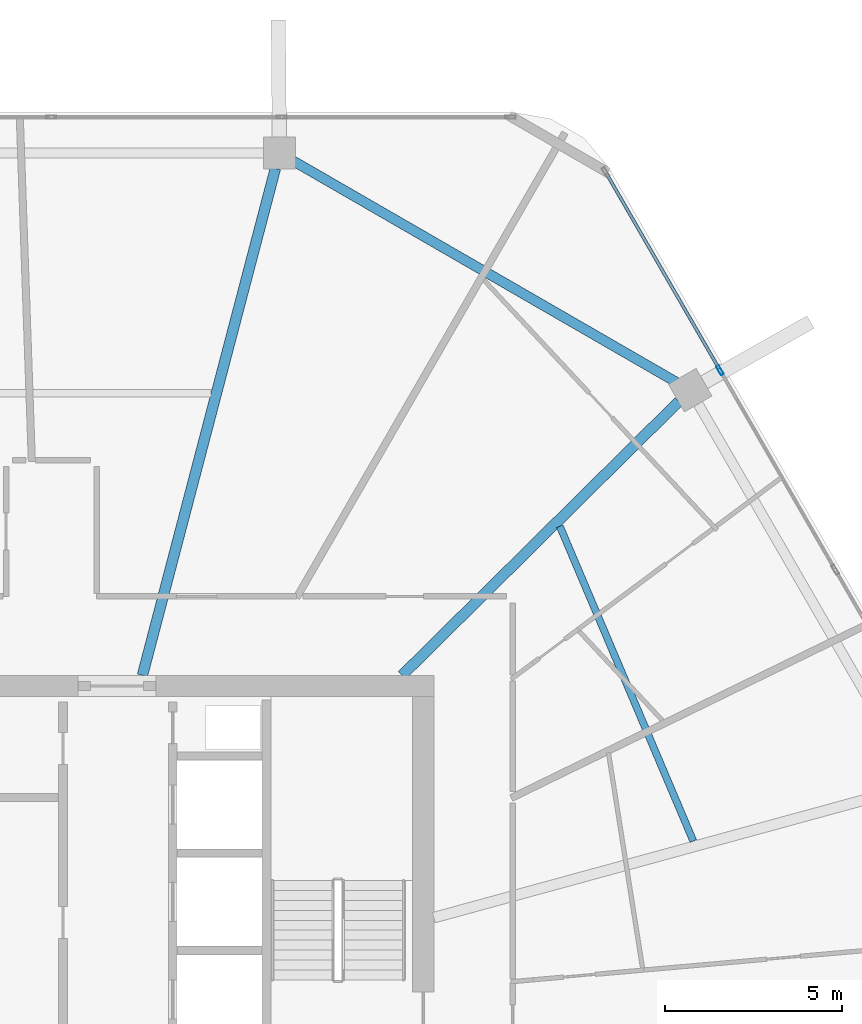
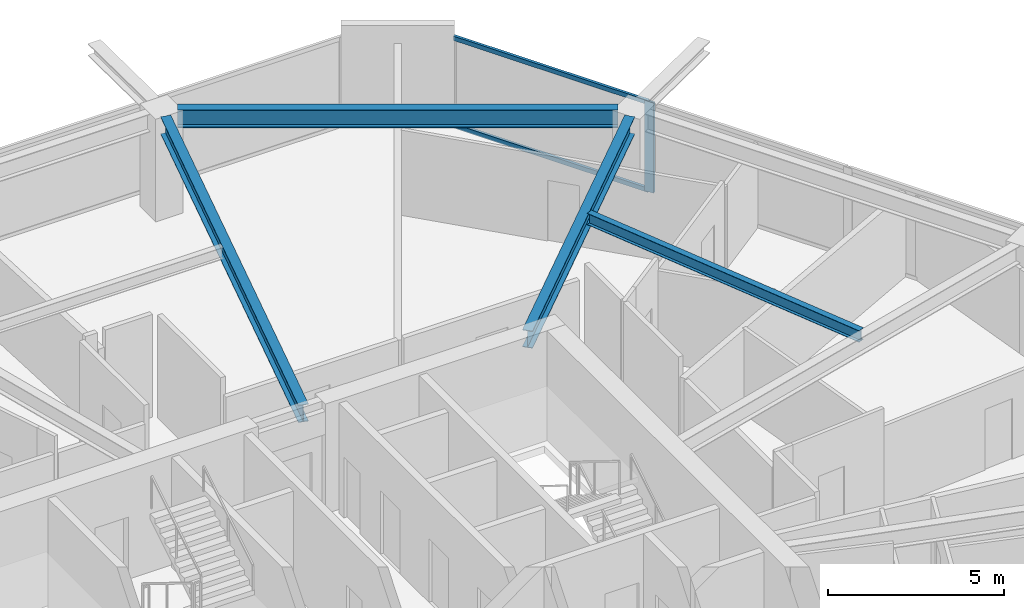
# One storey, part 14 of 25: 4 beams, 3 members, 1 element without a shape of its own.
"""IFC4 building model written with IfcOpenShell, lengths in metres."""

import ifcopenshell
import ifcopenshell.guid

model = None  # the IFC model being written
_history = None  # IfcOwnerHistory: only IFC2X3 demands one
_inside = {}  # id of a spatial element -> (the spatial element, [elements in it])
_under = {}  # id of a project, library or spatial element -> (it, [spatial elements below it])
_declared = {}  # id of a project -> (the project, [libraries it declares])
_typed = {}  # id of a type object -> (the type object, [elements of that type])
_made_of = {}  # id of a material, layer set ... -> (it, [elements and type objects made of it])


def new_model(schema):
    """Start an empty IFC model of exactly this schema.

    Asked for "IFC4X3", IfcOpenShell would pick the latest addendum, in which some entities
    have other attributes; the version numbers below select the first issue.
    IFC2X3 requires an IfcOwnerHistory on every rooted entity: one is made here for all.
    """
    global model, _history
    if schema == "IFC4X3":
        model = ifcopenshell.file(schema_version=(4, 3, 0, 0))
    else:
        model = ifcopenshell.file(schema=schema)
    _inside.clear()
    _under.clear()
    _declared.clear()
    _typed.clear()
    _made_of.clear()
    _history = None
    if model.schema == "IFC2X3":
        org = make("IfcOrganization", Name="unknown")
        user = make(
            "IfcPersonAndOrganization",
            ThePerson=make("IfcPerson", FamilyName="unknown"),
            TheOrganization=org,
        )
        app = make(
            "IfcApplication",
            ApplicationDeveloper=org,
            Version="unknown",
            ApplicationFullName="unknown",
            ApplicationIdentifier="unknown",
        )
        _history = make(
            "IfcOwnerHistory",
            OwningUser=user,
            OwningApplication=app,
            ChangeAction="ADDED",
            CreationDate=0,
        )
    return model


def make(cls, **values):
    """One entity of the class cls with the attributes given. An attribute that is None is left unset."""
    return model.create_entity(
        cls, **{name: value for name, value in values.items() if value is not None}
    )


def rooted(cls, **values):
    """An entity with a GlobalId (a new one), such as an element, a storey or a relation."""
    return make(cls, GlobalId=ifcopenshell.guid.new(), OwnerHistory=_history, **values)


def si_unit(unit_type, name, prefix=None):
    """IfcSIUnit, for example si_unit("LENGTHUNIT", "METRE", prefix="MILLI")."""
    return make("IfcSIUnit", UnitType=unit_type, Prefix=prefix, Name=name)


def assignment(units):
    """IfcUnitAssignment: the units of a project."""
    return None if units is None else make("IfcUnitAssignment", Units=units)


def point(xyz):
    """IfcCartesianPoint."""
    return None if xyz is None else make("IfcCartesianPoint", Coordinates=xyz)


def direction(xyz):
    """IfcDirection."""
    return None if xyz is None else make("IfcDirection", DirectionRatios=xyz)


def frame(location, z_axis=None, x_axis=None):
    """IfcAxis2Placement3D, a coordinate frame: its origin and axes. An axis left out is left unset."""
    return make(
        "IfcAxis2Placement3D",
        Location=point(location),
        Axis=direction(z_axis),
        RefDirection=direction(x_axis),
    )


def frame_2d(location, x_axis=None):
    """IfcAxis2Placement2D, a coordinate frame in the plane: its origin and x axis."""
    return make(
        "IfcAxis2Placement2D", Location=point(location), RefDirection=direction(x_axis)
    )


def origin():
    """The frame at (0, 0, 0) with its axes left unset."""
    return frame((0.0, 0.0, 0.0))


def origin_2d():
    """The frame at (0, 0) in the plane with its x axis left unset."""
    return frame_2d((0.0, 0.0))


def place(relative_to, where):
    """IfcLocalPlacement: puts the frame where relative to a parent placement (None: the world)."""
    return make(
        "IfcLocalPlacement", PlacementRelTo=relative_to, RelativePlacement=where
    )


def context(
    kind, dimensions, precision=None, world=None, true_north=None, identifier=None
):
    """IfcGeometricRepresentationContext, for example the 3D "Model" context."""
    return make(
        "IfcGeometricRepresentationContext",
        ContextIdentifier=identifier,
        ContextType=kind,
        CoordinateSpaceDimension=dimensions,
        Precision=precision,
        WorldCoordinateSystem=world,
        TrueNorth=true_north,
    )


def subcontext(parent, identifier, kind, view, scale=None):
    """IfcGeometricRepresentationSubContext, for example "Body" below "Model"."""
    return make(
        "IfcGeometricRepresentationSubContext",
        ContextIdentifier=identifier,
        ContextType=kind,
        ParentContext=parent,
        TargetScale=scale,
        TargetView=view,
    )


def project(units=None, contexts=None):
    """IfcProject with its units and contexts."""
    return rooted(
        "IfcProject",
        Name="project",
        RepresentationContexts=contexts,
        UnitsInContext=assignment(units),
    )


def spatial(cls, under=None, at=None, **own):
    """A site, building, storey or space (cls), placed at a placement, below another one or the project."""
    s = rooted(cls, ObjectPlacement=at, **own)
    if under is not None:
        _under.setdefault(under.id(), (under, []))[1].append(s)
    return s


def profile(cls, at=None, kind="AREA", **sizes):
    """A parametric profile (cls). Its sizes go by their IFC names, for example OverallWidth=200.0."""
    return make(cls, ProfileType=kind, Position=at, **sizes)


def hollow_rectangle(**sizes):
    """IfcRectangleHollowProfileDef."""
    return profile("IfcRectangleHollowProfileDef", **sizes)


def i_section(**sizes):
    """IfcIShapeProfileDef."""
    return profile("IfcIShapeProfileDef", **sizes)


def extrude(swept, where, along, depth):
    """IfcExtrudedAreaSolid: the profile swept, set in the frame where, extruded along a direction by depth."""
    return make(
        "IfcExtrudedAreaSolid",
        SweptArea=swept,
        Position=where,
        ExtrudedDirection=direction(along),
        Depth=depth,
    )


def shape(context_of_items, identifier, shape_type, items):
    """IfcShapeRepresentation: the items that make up one representation, for example the "Body"."""
    return make(
        "IfcShapeRepresentation",
        ContextOfItems=context_of_items,
        RepresentationIdentifier=identifier,
        RepresentationType=shape_type,
        Items=items,
    )


def material(Name=None, Category=None):
    """IfcMaterial."""
    return make("IfcMaterial", Name=Name, Category=Category)


def material_profile(
    of_material, cross_section, Name=None, Category=None, Priority=None
):
    """IfcMaterialProfile: a cross section and its material."""
    return make(
        "IfcMaterialProfile",
        Name=Name,
        Material=of_material,
        Profile=cross_section,
        Priority=Priority,
        Category=Category,
    )


def profile_set(profiles, Name=None, composite=None):
    """IfcMaterialProfileSet."""
    return make(
        "IfcMaterialProfileSet",
        Name=Name,
        MaterialProfiles=profiles,
        CompositeProfile=composite,
    )


def made_of(thing, what):
    """Note that an element or type object is made of a material, layer set ...; save() writes the relation."""
    if what is not None:
        _made_of.setdefault(what.id(), (what, []))[1].append(thing)
    return thing


def type_object(cls, material=None, **own):
    """A type object (cls), such as IfcWallType, which elements share."""
    return made_of(rooted(cls, **own), material)


def element(
    cls,
    number,
    at=None,
    inside=None,
    cuts=None,
    type_object=None,
    material=None,
    context=None,
    identifier="Body",
    shape_type=None,
    held_by="IfcProductDefinitionShape",
    body=None,
    shapes=None,
    **own,
):
    """One element of the class cls, such as IfcWall. Its Tag is "e" and its number.

    at: its placement. inside: the storey or other place that contains it. cuts: it is an
    opening in that element (IfcRelVoidsElement). A single representation is given by context,
    identifier, shape_type and body (its items); several are given by shapes. held_by: the class
    of the entity that holds the representations. save() writes the other relations.
    """
    e = rooted(cls, Tag="e%d" % number, ObjectPlacement=at, **own)
    if body is not None:
        shapes = [shape(context, identifier, shape_type, body)]
    if shapes is not None:
        e.Representation = make(held_by, Representations=shapes)
    if inside is not None:
        _inside.setdefault(inside.id(), (inside, []))[1].append(e)
    if cuts is not None:
        rooted(
            "IfcRelVoidsElement", RelatingBuildingElement=cuts, RelatedOpeningElement=e
        )
    if type_object is not None:
        _typed.setdefault(type_object.id(), (type_object, []))[1].append(e)
    return made_of(e, material)


def aggregate(whole, parts):
    """IfcRelAggregates: a whole, such as a stair, and the parts it consists of."""
    return rooted("IfcRelAggregates", RelatingObject=whole, RelatedObjects=parts)


def save(model, path):
    """Write the relations noted so far, then the file.

    IfcRelAggregates (storeys below a building ...), IfcRelContainedInSpatialStructure (elements
    in a storey), IfcRelDefinesByType, IfcRelAssociatesMaterial and IfcRelDeclares: one each for
    every whole, place, type object, material and project.
    """
    for whole, parts in _under.values():
        aggregate(whole, parts)
    for where, things in _inside.values():
        rooted(
            "IfcRelContainedInSpatialStructure",
            RelatedElements=things,
            RelatingStructure=where,
        )
    for kind, things in _typed.values():
        rooted("IfcRelDefinesByType", RelatedObjects=things, RelatingType=kind)
    for what, things in _made_of.values():
        rooted("IfcRelAssociatesMaterial", RelatedObjects=things, RelatingMaterial=what)
    for by, libraries in _declared.values():
        rooted("IfcRelDeclares", RelatingContext=by, RelatedDefinitions=libraries)
    model.write(path)


model = new_model("IFC4")

# Units and contexts
model_context = context("Model", 3, precision=1e-05, world=origin(), true_north=direction((0.0, 1.0)))
body_context = subcontext(model_context, "Body", "Model", "MODEL_VIEW")
ifc_project = project(units=[si_unit("LENGTHUNIT", "METRE"), si_unit("AREAUNIT", "SQUARE_METRE"), si_unit("VOLUMEUNIT", "CUBIC_METRE"), si_unit("PLANEANGLEUNIT", "RADIAN"), si_unit("MASSUNIT", "GRAM", prefix="KILO")], contexts=[model_context])

# Site, building, storey
site_placement = place(None, origin())
site = spatial("IfcSite", under=ifc_project, at=site_placement, CompositionType="ELEMENT")
building_placement = place(site_placement, origin())
building = spatial("IfcBuilding", under=site, at=building_placement, Name="Zuhravey Tower", CompositionType="ELEMENT")
storey_placement = place(building_placement, frame((0.0, 0.0, 235.0)))
storey = spatial("IfcBuildingStorey", under=building, at=storey_placement, Name="L59", CompositionType="ELEMENT", Elevation=235.0)

# Curtain wall, members
ifc_material_1 = material(Name="Thermally broken anodised aluminium", Category="aluminium")
curtain_wall_type = type_object("IfcCurtainWallType", Name="Zone 3-4 High-Rise Curtain Wall CW4", PredefinedType="NOTDEFINED", material=ifc_material_1)
curtain_wall_placement = place(storey_placement, origin())
curtain_wall = element("IfcCurtainWall", 1, at=curtain_wall_placement, inside=storey, type_object=curtain_wall_type, Name="L59 CW4 CW-L59-F1-1", PredefinedType="NOTDEFINED")
ifc_material_2 = material(Name="Anodised aluminium", Category="aluminium")
ifc_material_profile_1 = material_profile(ifc_material_2, hollow_rectangle(XDim=0.090087890625, YDim=0.284912109375, WallThickness=0.0048828125, at=origin_2d()), Name="ALU-RHS-90x285x5")
ifc_profile_set_1 = profile_set([ifc_material_profile_1], Name="Anodised aluminium")
member_type_1 = type_object("IfcMemberType", Name="Curtain-Wall Mullion 90x180", PredefinedType="MULLION", material=ifc_profile_set_1)
member_1_placement = place(storey_placement, frame((54.885498046875, 50.41650390625, 0.0), z_axis=(0.0, 0.0, 1.0), x_axis=(0.866024851021, 0.500000957414, 0.0)))
member_1 = element("IfcMember", 2, at=member_1_placement, type_object=member_type_1, Name="CW4 mullion 2", PredefinedType="MULLION", context=body_context, shape_type="SweptSolid", body=[
    extrude(hollow_rectangle(XDim=0.090087890625, YDim=0.284912109375, WallThickness=0.0048828125, at=origin_2d()), origin(), (0.0, 0.0, 1.0), 3.1220703125),
])
ifc_material_profile_2 = material_profile(ifc_material_2, hollow_rectangle(XDim=0.090087890625, YDim=0.14990234375, WallThickness=0.0048828125, at=origin_2d()), Name="ALU-RHS-90x150x5")
ifc_profile_set_2 = profile_set([ifc_material_profile_2], Name="Anodised aluminium")
member_type_2 = type_object("IfcMemberType", Name="Curtain-Wall Transom 90x150", PredefinedType="USERDEFINED", material=ifc_profile_set_2)
member_2_placement = place(storey_placement, frame((51.677490234375, 55.97314453125, 0.044921875), z_axis=(0.499980071345, -0.866036909293, 0.0), x_axis=(0.866036909293, 0.499980071345, 0.0)))
member_2 = element("IfcMember", 3, at=member_2_placement, type_object=member_type_2, Name="CW4 transom 1.1", ObjectType="TRANSOM", PredefinedType="USERDEFINED", context=body_context, shape_type="SweptSolid", body=[
    extrude(hollow_rectangle(XDim=0.090087890625, YDim=0.14990234375, WallThickness=0.0048828125, at=origin_2d()), origin(), (0.0, 0.0, 1.0), 6.371337890625),
])
member_3_placement = place(storey_placement, frame((51.677490234375, 55.97314453125, 3.076904296875), z_axis=(0.499980071345, -0.866036909293, 0.0), x_axis=(0.866036909293, 0.499980071345, 0.0)))
member_3 = element("IfcMember", 4, at=member_3_placement, type_object=member_type_2, Name="CW4 transom 1.2", ObjectType="TRANSOM", PredefinedType="USERDEFINED", context=body_context, shape_type="SweptSolid", body=[
    extrude(hollow_rectangle(XDim=0.090087890625, YDim=0.14990234375, WallThickness=0.0048828125, at=origin_2d()), origin(), (0.0, 0.0, 1.0), 6.371337890625),
])
aggregate(curtain_wall, [member_1, member_2, member_3])

# Beams
ifc_material_3 = material(Name="Steel SM355", Category="steel")
ifc_material_profile_3 = material_profile(ifc_material_3, i_section(OverallWidth=0.280029296875, OverallDepth=0.6201171875, WebThickness=0.011962890625, FlangeThickness=0.02001953125, at=origin_2d()), Name="H-620x280x12x20")
ifc_profile_set_3 = profile_set([ifc_material_profile_3], Name="Steel SM355")
beam_type_1 = type_object("IfcBeamType", Name="Perimeter Ring Beam H620x280", PredefinedType="BEAM", material=ifc_profile_set_3)
beam_1_placement = place(storey_placement, frame((53.6513671875, 50.081298828125, 3.239990234375), z_axis=(-0.866025131093, 0.500000472315, 0.0), x_axis=(-0.500000472315, -0.866025131093, 0.0)))
element("IfcBeam", 5, at=beam_1_placement, inside=storey, type_object=beam_type_1, Name="L59 PB3 BM-L59-PB-02", PredefinedType="BEAM", context=body_context, shape_type="SweptSolid", body=[
    extrude(i_section(OverallWidth=0.280029296875, OverallDepth=0.6201171875, WebThickness=0.011962890625, FlangeThickness=0.02001953125, at=origin_2d()), origin(), (0.0, 0.0, 1.0), 12.49169921875),
])
ifc_material_profile_4 = material_profile(ifc_material_3, i_section(OverallWidth=0.300048828125, OverallDepth=0.60009765625, WebThickness=0.011962890625, FlangeThickness=0.02001953125, at=origin_2d()), Name="H-600x300x12x20")
ifc_profile_set_4 = profile_set([ifc_material_profile_4], Name="Steel SM355")
beam_type_2 = type_object("IfcBeamType", Name="Radial Primary Girder H600x300", PredefinedType="BEAM", material=ifc_profile_set_4)
beam_2_placement = place(storey_placement, frame((45.90673828125, 41.802978515625, 3.25), z_axis=(0.710816516282, 0.703377480576, 0.0), x_axis=(-0.703377480576, 0.710816516282, 0.0)))
element("IfcBeam", 6, at=beam_2_placement, inside=storey, type_object=beam_type_2, Name="L59 RG3 BM-L59-RAD-02", PredefinedType="BEAM", context=body_context, shape_type="SweptSolid", body=[
    extrude(i_section(OverallWidth=0.300048828125, OverallDepth=0.60009765625, WebThickness=0.011962890625, FlangeThickness=0.02001953125, at=origin_2d()), origin(), (0.0, 0.0, 1.0), 10.994384765625),
])
beam_3_placement = place(storey_placement, frame((38.571533203125, 41.802978515625, 3.25), z_axis=(0.253731415841, 0.967274712073, 0.0), x_axis=(-0.967274712073, 0.253731415841, 0.0)))
element("IfcBeam", 7, at=beam_3_placement, inside=storey, type_object=beam_type_2, Name="L59 RG3 BM-L59-RAD-03", PredefinedType="BEAM", context=body_context, shape_type="SweptSolid", body=[
    extrude(i_section(OverallWidth=0.300048828125, OverallDepth=0.60009765625, WebThickness=0.011962890625, FlangeThickness=0.02001953125, at=origin_2d()), origin(), (0.0, 0.0, 1.0), 14.796630859375),
])
ifc_material_profile_5 = material_profile(ifc_material_3, i_section(OverallWidth=0.199951171875, OverallDepth=0.39990234375, WebThickness=0.008056640625, FlangeThickness=0.012939453125, at=origin_2d()), Name="H-400x200x8x13")
ifc_profile_set_5 = profile_set([ifc_material_profile_5], Name="Steel SM355")
beam_type_3 = type_object("IfcBeamType", Name="Secondary Floor Joist H400x200", PredefinedType="JOIST", material=ifc_profile_set_5)
beam_4_placement = place(storey_placement, frame((54.130859375, 37.118896484375, 3.35009765625), z_axis=(-0.390413493754, 0.920639616731, 0.0), x_axis=(-0.920639616731, -0.390413493754, 0.0)))
element("IfcBeam", 8, at=beam_4_placement, inside=storey, type_object=beam_type_3, Name="L59 SJ2 BM-L59-SJ-01-1", PredefinedType="JOIST", context=body_context, shape_type="SweptSolid", body=[
    extrude(i_section(OverallWidth=0.199951171875, OverallDepth=0.39990234375, WebThickness=0.008056640625, FlangeThickness=0.012939453125, at=origin_2d()), origin(), (0.0, 0.0, 1.0), 9.656494140625),
])

save(model, "model.ifc")
